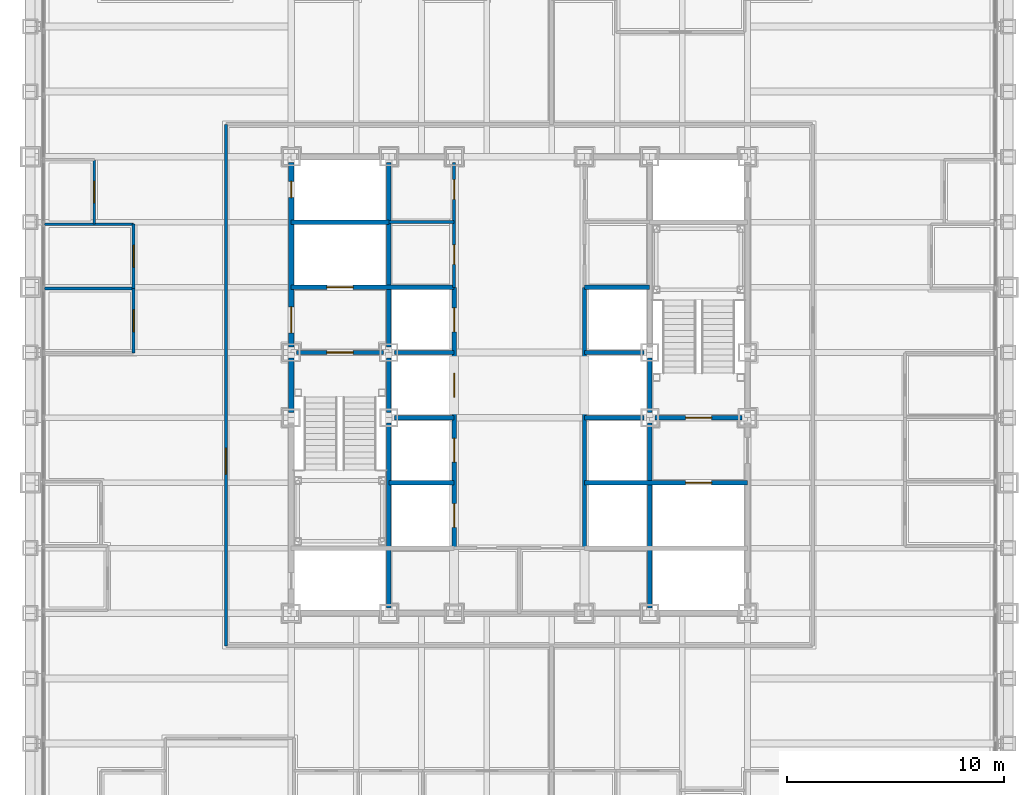
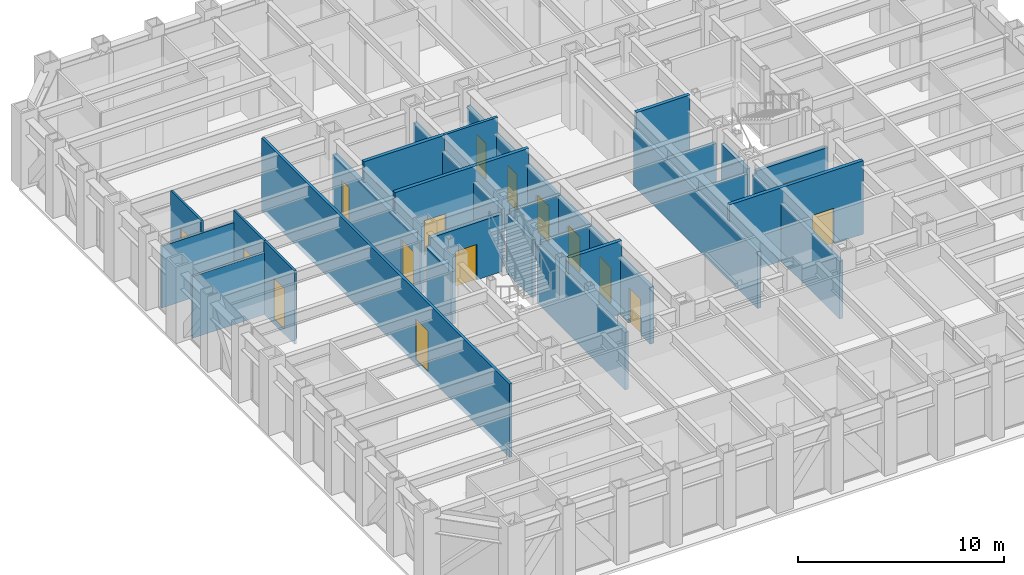
# One storey, part 9 of 16: 28 walls, 16 doors, 16 openings.
"""IFC4 building model written with IfcOpenShell, lengths in metres."""

from ifc_helpers import new_model, si_unit, direction, frame, frame_2d, origin, place, context, subcontext, project, spatial, rectangle, extrude, material, layer, layer_set, type_object, element, fill, save


model = new_model("IFC4")

# Units and contexts
model_context = context("Model", 3, precision=1e-05, world=origin(), true_north=direction((0.0, 1.0)))
body_context = subcontext(model_context, "Body", "Model", "MODEL_VIEW")
ifc_project = project(units=[si_unit("LENGTHUNIT", "METRE"), si_unit("AREAUNIT", "SQUARE_METRE"), si_unit("VOLUMEUNIT", "CUBIC_METRE"), si_unit("PLANEANGLEUNIT", "RADIAN"), si_unit("MASSUNIT", "GRAM", prefix="KILO")], contexts=[model_context])

# Site, building, storey
site_placement = place(None, origin())
site = spatial("IfcSite", under=ifc_project, at=site_placement, CompositionType="ELEMENT")
building_placement = place(site_placement, origin())
building = spatial("IfcBuilding", under=site, at=building_placement, Name="Chuquiago Exchange Tower", CompositionType="ELEMENT")
storey_placement = place(building_placement, frame((0.0, 0.0, 51.300048828125)))
storey = spatial("IfcBuildingStorey", under=building, at=storey_placement, Name="L10", CompositionType="ELEMENT", Elevation=51.300048828125)

# Wall
ifc_material_1 = material(Name="Concrete masonry, fully grouted", Category="masonry")
ifc_layer_1 = layer(ifc_material_1, 0.25)
ifc_layer_set_1 = layer_set([ifc_layer_1], Name="W1 core wall 250")
wall_type_1 = type_object("IfcWallType", Name="W1 core wall 250", PredefinedType="SOLIDWALL", material=ifc_layer_set_1)
wall_1_placement = place(storey_placement, frame((12.0, 21.25, 0.0), z_axis=(0.0, 0.0, 1.0), x_axis=(0.0, 1.0, 0.0)))
element("IfcWall", 1, at=wall_1_placement, inside=storey, type_object=wall_type_1, Name="CW-L10-00-1", PredefinedType="SOLIDWALL", context=body_context, shape_type="SweptSolid", body=[
    extrude(rectangle(XDim=2.5, YDim=0.25, at=frame_2d((1.25, 0.0))), origin(), (0.0, 0.0, 1.0), 3.11279296875),
])

# Wall, openings, doors
wall_2_placement = place(storey_placement, frame((12.0, 24.25, 0.0), z_axis=(0.0, 0.0, 1.0), x_axis=(0.0, 1.0, 0.0)))
wall_2 = element("IfcWall", 2, at=wall_2_placement, inside=storey, type_object=wall_type_1, Name="CW-L10-00-2", PredefinedType="SOLIDWALL", context=body_context, shape_type="SweptSolid", body=[
    extrude(rectangle(XDim=8.5, YDim=0.25, at=frame_2d((4.25, 0.0))), origin(), (0.0, 0.0, 1.0), 3.11279296875),
])
opening_1_placement = place(wall_2_placement, frame((0.64990234375, 0.0, 0.0)))
opening_1 = element("IfcOpeningElement", 3, at=opening_1_placement, cuts=wall_2, Name="Opening L10-002", PredefinedType="OPENING", context=body_context, shape_type="SweptSolid", body=[
    extrude(rectangle(XDim=1.199951171875, YDim=2.10009765625, at=frame_2d((0.60009765625, 1.050048828125))), frame((0.0, 0.135009765625, 0.0), z_axis=(0.0, -1.0, 0.0), x_axis=(1.0, 0.0, 0.0)), (0.0, 0.0, 1.0), 0.27001953125),
])
opening_2_placement = place(wall_2_placement, frame((6.875, 0.0, 0.0)))
opening_2 = element("IfcOpeningElement", 4, at=opening_2_placement, cuts=wall_2, Name="Opening L10-008", PredefinedType="OPENING", context=body_context, shape_type="SweptSolid", body=[
    extrude(rectangle(XDim=0.75, YDim=2.10009765625, at=frame_2d((0.375, 1.050048828125))), frame((0.0, 0.135009765625, 0.0), z_axis=(0.0, -1.0, 0.0), x_axis=(1.0, 0.0, 0.0)), (0.0, 0.0, 1.0), 0.27001953125),
])
ifc_material_2 = material(Name="Steel door, painted", Category="steel")
door_type_1 = type_object("IfcDoorType", Name="D5 firefighting lobby door 1200x2100", OperationType="SINGLE_SWING_LEFT", PredefinedType="DOOR", material=ifc_material_2)
door_1_placement = place(opening_1_placement, frame((1.199951171875, 0.0, 0.0), z_axis=(0.0, 0.0, 1.0), x_axis=(-1.0, 0.0, 0.0)))
door_1 = element("IfcDoor", 5, at=door_1_placement, inside=storey, type_object=door_type_1, Name="Firefighting lobby 1 door", OperationType="SINGLE_SWING_RIGHT", OverallHeight=2.10009765625, OverallWidth=1.199951171875, PredefinedType="DOOR", context=body_context, shape_type="SweptSolid", body=[
    extrude(rectangle(XDim=1.199951171875, YDim=2.10009765625, at=frame_2d((0.60009765625, 1.050048828125))), frame((0.0, 0.02490234375, 0.0), z_axis=(0.0, -1.0, 0.0), x_axis=(1.0, 0.0, 0.0)), (0.0, 0.0, 1.0), 0.050048828125),
])
fill(opening_1, door_1)
ifc_material_3 = material(Name="Steel door, painted", Category="steel")
door_type_2 = type_object("IfcDoorType", Name="D6 riser access door 750x2100", OperationType="SINGLE_SWING_LEFT", PredefinedType="DOOR", material=ifc_material_3)
door_2_placement = place(opening_2_placement, origin())
door_2 = element("IfcDoor", 6, at=door_2_placement, inside=storey, type_object=door_type_2, Name="Riser RW2 door", OperationType="SINGLE_SWING_RIGHT", OverallHeight=2.10009765625, OverallWidth=0.75, PredefinedType="DOOR", context=body_context, shape_type="SweptSolid", body=[
    extrude(rectangle(XDim=0.75, YDim=2.10009765625, at=frame_2d((0.375, 1.050048828125))), frame((0.0, 0.02490234375, 0.0), z_axis=(0.0, -1.0, 0.0), x_axis=(1.0, 0.0, 0.0)), (0.0, 0.0, 1.0), 0.050048828125),
])
fill(opening_2, door_2)

# Wall, opening, door
ifc_material_4 = material(Name="Gypsum board on steel studs, acoustic insulation", Category="steel")
ifc_layer_2 = layer(ifc_material_4, 0.14990234375)
ifc_layer_set_2 = layer_set([ifc_layer_2], Name="W11 corridor wall 150")
wall_type_2 = type_object("IfcWallType", Name="W11 corridor wall 150", PredefinedType="PARTITIONING", material=ifc_layer_set_2)
wall_3_placement = place(storey_placement, frame((9.0, 10.5, -0.300048828125), z_axis=(0.0, 0.0, 1.0), x_axis=(0.0, 1.0, 0.0)))
wall_3 = element("IfcWall", 7, at=wall_3_placement, inside=storey, type_object=wall_type_2, Name="PW-L10-CW", PredefinedType="PARTITIONING", context=body_context, shape_type="SweptSolid", body=[
    extrude(rectangle(XDim=24.0, YDim=0.14990234375, at=frame_2d((12.0, 0.0))), origin(), (0.0, 0.0, 1.0), 4.340087890625),
])
opening_3_placement = place(wall_3_placement, frame((7.89990234375, 0.0, 0.300048828125)))
opening_3 = element("IfcOpeningElement", 8, at=opening_3_placement, cuts=wall_3, Name="Opening L10-053", PredefinedType="OPENING", context=body_context, shape_type="SweptSolid", body=[
    extrude(rectangle(XDim=1.199951171875, YDim=2.39990234375, at=frame_2d((0.60009765625, 1.199951171875))), frame((0.0, 0.0849609375, 0.0), z_axis=(0.0, -1.0, 0.0), x_axis=(1.0, 0.0, 0.0)), (0.0, 0.0, 1.0), 0.169921875),
])
ifc_material_5 = material(Name="Timber door, laminate faced", Category="wood")
door_type_3 = type_object("IfcDoorType", Name="D13 suite entrance door 1200x2400", OperationType="SINGLE_SWING_LEFT", PredefinedType="DOOR", material=ifc_material_5)
door_3_placement = place(opening_3_placement, frame((1.199951171875, 0.0, 0.0), z_axis=(0.0, 0.0, 1.0), x_axis=(-1.0, 0.0, 0.0)))
door_3 = element("IfcDoor", 9, at=door_3_placement, inside=storey, type_object=door_type_3, Name="West suite entrance door", OperationType="SINGLE_SWING_RIGHT", OverallHeight=2.39990234375, OverallWidth=1.199951171875, PredefinedType="DOOR", context=body_context, shape_type="SweptSolid", body=[
    extrude(rectangle(XDim=1.199951171875, YDim=2.39990234375, at=frame_2d((0.60009765625, 1.199951171875))), frame((0.0, 0.02490234375, 0.0), z_axis=(0.0, -1.0, 0.0), x_axis=(1.0, 0.0, 0.0)), (0.0, 0.0, 1.0), 0.050048828125),
])
fill(opening_3, door_3)

ifc_material_6 = material(Name="Concrete masonry, fully grouted", Category="masonry")
ifc_layer_3 = layer(ifc_material_6, 0.199951171875)
ifc_layer_set_3 = layer_set([ifc_layer_3], Name="W2 shaft wall 200")
wall_type_3 = type_object("IfcWallType", Name="W2 shaft wall 200", PredefinedType="SOLIDWALL", material=ifc_layer_set_3)
wall_4_placement = place(storey_placement, frame((12.25, 24.0, 0.0), z_axis=(0.0, 0.0, 1.0), x_axis=(1.0, 0.0, 0.0)))
wall_4 = element("IfcWall", 10, at=wall_4_placement, inside=storey, type_object=wall_type_3, Name="CW-L10-05-0", PredefinedType="SOLIDWALL", context=body_context, shape_type="SweptSolid", body=[
    extrude(rectangle(XDim=4.0, YDim=0.199951171875, at=frame_2d((2.0, 0.0))), origin(), (0.0, 0.0, 1.0), 3.389892578125),
])
opening_4_placement = place(wall_4_placement, frame((1.39990234375, 0.0, 0.0)))
opening_4 = element("IfcOpeningElement", 11, at=opening_4_placement, cuts=wall_4, Name="Opening L10-001", PredefinedType="OPENING", context=body_context, shape_type="SweptSolid", body=[
    extrude(rectangle(XDim=1.199951171875, YDim=2.10009765625, at=frame_2d((0.60009765625, 1.050048828125))), frame((0.0, 0.10986328125, 0.0), z_axis=(0.0, -1.0, 0.0), x_axis=(1.0, 0.0, 0.0)), (0.0, 0.0, 1.0), 0.219970703125),
])
ifc_material_7 = material(Name="Steel door, painted", Category="steel")
door_type_4 = type_object("IfcDoorType", Name="D4 stair door 1200x2100", OperationType="SINGLE_SWING_LEFT", PredefinedType="DOOR", material=ifc_material_7)
door_4_placement = place(opening_4_placement, frame((1.199951171875, 0.0, 0.0), z_axis=(0.0, 0.0, 1.0), x_axis=(-1.0, 0.0, 0.0)))
door_4 = element("IfcDoor", 12, at=door_4_placement, inside=storey, type_object=door_type_4, Name="Stair ST1 door", OperationType="SINGLE_SWING_RIGHT", OverallHeight=2.10009765625, OverallWidth=1.199951171875, PredefinedType="DOOR", context=body_context, shape_type="SweptSolid", body=[
    extrude(rectangle(XDim=1.199951171875, YDim=2.10009765625, at=frame_2d((0.60009765625, 1.050048828125))), frame((0.0, 0.02490234375, 0.0), z_axis=(0.0, -1.0, 0.0), x_axis=(1.0, 0.0, 0.0)), (0.0, 0.0, 1.0), 0.050048828125),
])
fill(opening_4, door_4)

# Walls
for number, where, z_axis, x_axis, name in (
    (13, (16.75, 24.0, 0.0), (0.0, 0.0, 1.0), (1.0, 0.0, 0.0), "CW-L10-05-1"),
    (14, (25.5, 24.0, 0.0), (0.0, 0.0, 1.0), (1.0, 0.0, 0.0), "CW-L10-06-0"),
):
    element("IfcWall", number, at=place(storey_placement, frame(where, z_axis=z_axis, x_axis=x_axis)), inside=storey, type_object=wall_type_3, Name=name, PredefinedType="SOLIDWALL", context=body_context, shape_type="SweptSolid", body=[
        extrude(rectangle(XDim=2.75, YDim=0.199951171875, at=frame_2d((1.375, 0.0))), origin(), (0.0, 0.0, 1.0), 3.389892578125),
    ])

# Wall, opening, door
wall_5_placement = place(storey_placement, frame((12.0, 27.0, 0.0), z_axis=(0.0, 0.0, 1.0), x_axis=(1.0, 0.0, 0.0)))
wall_5 = element("IfcWall", 15, at=wall_5_placement, inside=storey, type_object=wall_type_3, Name="CW-L10-07-0", PredefinedType="SOLIDWALL", context=body_context, shape_type="SweptSolid", body=[
    extrude(rectangle(XDim=7.5, YDim=0.199951171875, at=frame_2d((3.75, 0.0))), origin(), (0.0, 0.0, 1.0), 4.33984375),
])
opening_5_placement = place(wall_5_placement, frame((1.64990234375, 0.0, 0.0)))
opening_5 = element("IfcOpeningElement", 16, at=opening_5_placement, cuts=wall_5, Name="Opening L10-005", PredefinedType="OPENING", context=body_context, shape_type="SweptSolid", body=[
    extrude(rectangle(XDim=1.199951171875, YDim=2.10009765625, at=frame_2d((0.60009765625, 1.050048828125))), frame((0.0, 0.10986328125, 0.0), z_axis=(0.0, -1.0, 0.0), x_axis=(1.0, 0.0, 0.0)), (0.0, 0.0, 1.0), 0.219970703125),
])
ifc_material_8 = material(Name="Stainless steel lift landing door", Category="steel")
door_type_5 = type_object("IfcDoorType", Name="LD2 firefighting lift landing door 1200x2100", OperationType="DOUBLE_DOOR_SLIDING", PredefinedType="DOOR", material=ifc_material_8)
door_5_placement = place(opening_5_placement, origin())
door_5 = element("IfcDoor", 17, at=door_5_placement, inside=storey, type_object=door_type_5, Name="Firefighting lift FL1 landing door", OperationType="DOUBLE_DOOR_SLIDING", OverallHeight=2.10009765625, OverallWidth=1.199951171875, PredefinedType="DOOR", context=body_context, shape_type="SweptSolid", body=[
    extrude(rectangle(XDim=1.199951171875, YDim=2.10009765625, at=frame_2d((0.60009765625, 1.050048828125))), frame((0.0, 0.02490234375, 0.0), z_axis=(0.0, -1.0, 0.0), x_axis=(1.0, 0.0, 0.0)), (0.0, 0.0, 1.0), 0.050048828125),
])
fill(opening_5, door_5)

# Walls
wall_6_placement = place(storey_placement, frame((25.5, 27.0, 0.0), z_axis=(0.0, 0.0, 1.0), x_axis=(1.0, 0.0, 0.0)))
element("IfcWall", 18, at=wall_6_placement, inside=storey, type_object=wall_type_3, Name="CW-L10-08-0", PredefinedType="SOLIDWALL", context=body_context, shape_type="SweptSolid", body=[
    extrude(rectangle(XDim=3.0, YDim=0.199951171875, at=frame_2d((1.5, 0.0))), origin(), (0.0, 0.0, 1.0), 4.33984375),
])
wall_7_placement = place(storey_placement, frame((12.0, 30.0, 0.0), z_axis=(0.0, 0.0, 1.0), x_axis=(1.0, 0.0, 0.0)))
element("IfcWall", 19, at=wall_7_placement, inside=storey, type_object=wall_type_3, Name="CW-L10-09-0", PredefinedType="SOLIDWALL", context=body_context, shape_type="SweptSolid", body=[
    extrude(rectangle(XDim=4.5, YDim=0.199951171875, at=frame_2d((2.25, 0.0))), origin(), (0.0, 0.0, 1.0), 4.33984375),
])
wall_8_placement = place(storey_placement, frame((16.5, 12.25, 0.0), z_axis=(0.0, 0.0, 1.0), x_axis=(0.0, 1.0, 0.0)))
element("IfcWall", 20, at=wall_8_placement, inside=storey, type_object=wall_type_3, Name="CW-L10-13-0", PredefinedType="SOLIDWALL", context=body_context, shape_type="SweptSolid", body=[
    extrude(rectangle(XDim=8.5, YDim=0.199951171875, at=frame_2d((4.25, 0.0))), origin(), (0.0, 0.0, 1.0), 3.412841796875),
])
wall_9_placement = place(storey_placement, frame((16.5, 21.25, 0.0), z_axis=(0.0, 0.0, 1.0), x_axis=(0.0, 1.0, 0.0)))
element("IfcWall", 21, at=wall_9_placement, inside=storey, type_object=wall_type_3, Name="CW-L10-13-1", PredefinedType="SOLIDWALL", context=body_context, shape_type="SweptSolid", body=[
    extrude(rectangle(XDim=2.5, YDim=0.199951171875, at=frame_2d((1.25, 0.0))), origin(), (0.0, 0.0, 1.0), 3.412841796875),
])
wall_10_placement = place(storey_placement, frame((16.5, 24.25, 0.0), z_axis=(0.0, 0.0, 1.0), x_axis=(0.0, 1.0, 0.0)))
element("IfcWall", 22, at=wall_10_placement, inside=storey, type_object=wall_type_3, Name="CW-L10-13-2", PredefinedType="SOLIDWALL", context=body_context, shape_type="SweptSolid", body=[
    extrude(rectangle(XDim=8.5, YDim=0.199951171875, at=frame_2d((4.25, 0.0))), origin(), (0.0, 0.0, 1.0), 3.412841796875),
])
wall_11_placement = place(storey_placement, frame((16.5, 18.0, 0.0), z_axis=(0.0, 0.0, 1.0), x_axis=(1.0, 0.0, 0.0)))
element("IfcWall", 23, at=wall_11_placement, inside=storey, type_object=wall_type_3, Name="CW-L10-14-0", PredefinedType="SOLIDWALL", context=body_context, shape_type="SweptSolid", body=[
    extrude(rectangle(XDim=3.0, YDim=0.199951171875, at=frame_2d((1.5, 0.0))), origin(), (0.0, 0.0, 1.0), 4.33984375),
])

# Wall, opening, door
wall_12_placement = place(storey_placement, frame((25.5, 18.0, 0.0), z_axis=(0.0, 0.0, 1.0), x_axis=(1.0, 0.0, 0.0)))
wall_12 = element("IfcWall", 24, at=wall_12_placement, inside=storey, type_object=wall_type_3, Name="CW-L10-15-0", PredefinedType="SOLIDWALL", context=body_context, shape_type="SweptSolid", body=[
    extrude(rectangle(XDim=7.5, YDim=0.199951171875, at=frame_2d((3.75, 0.0))), origin(), (0.0, 0.0, 1.0), 4.33984375),
])
opening_6_placement = place(wall_12_placement, frame((4.64990234375, 0.0, 0.0)))
opening_6 = element("IfcOpeningElement", 25, at=opening_6_placement, cuts=wall_12, Name="Opening L10-006", PredefinedType="OPENING", context=body_context, shape_type="SweptSolid", body=[
    extrude(rectangle(XDim=1.199951171875, YDim=2.10009765625, at=frame_2d((0.60009765625, 1.050048828125))), frame((0.0, 0.10986328125, 0.0), z_axis=(0.0, -1.0, 0.0), x_axis=(1.0, 0.0, 0.0)), (0.0, 0.0, 1.0), 0.219970703125),
])
door_6_placement = place(opening_6_placement, origin())
door_6 = element("IfcDoor", 26, at=door_6_placement, inside=storey, type_object=door_type_5, Name="Firefighting lift FL2 landing door", OperationType="DOUBLE_DOOR_SLIDING", OverallHeight=2.10009765625, OverallWidth=1.199951171875, PredefinedType="DOOR", context=body_context, shape_type="SweptSolid", body=[
    extrude(rectangle(XDim=1.199951171875, YDim=2.10009765625, at=frame_2d((0.60009765625, 1.050048828125))), frame((0.0, 0.02490234375, 0.0), z_axis=(0.0, -1.0, 0.0), x_axis=(1.0, 0.0, 0.0)), (0.0, 0.0, 1.0), 0.050048828125),
])
fill(opening_6, door_6)

# Walls
for number, where, z_axis, x_axis, name in (
    (27, (16.75, 21.0, 0.0), (0.0, 0.0, 1.0), (1.0, 0.0, 0.0), "CW-L10-16-0"),
    (28, (25.5, 21.0, 0.0), (0.0, 0.0, 1.0), (1.0, 0.0, 0.0), "CW-L10-17-0"),
):
    element("IfcWall", number, at=place(storey_placement, frame(where, z_axis=z_axis, x_axis=x_axis)), inside=storey, type_object=wall_type_3, Name=name, PredefinedType="SOLIDWALL", context=body_context, shape_type="SweptSolid", body=[
        extrude(rectangle(XDim=2.75, YDim=0.199951171875, at=frame_2d((1.375, 0.0))), origin(), (0.0, 0.0, 1.0), 3.389892578125),
    ])

# Wall, opening, door
wall_13_placement = place(storey_placement, frame((28.75, 21.0, 0.0), z_axis=(0.0, 0.0, 1.0), x_axis=(1.0, 0.0, 0.0)))
wall_13 = element("IfcWall", 29, at=wall_13_placement, inside=storey, type_object=wall_type_3, Name="CW-L10-17-1", PredefinedType="SOLIDWALL", context=body_context, shape_type="SweptSolid", body=[
    extrude(rectangle(XDim=4.0, YDim=0.199951171875, at=frame_2d((2.0, 0.0))), origin(), (0.0, 0.0, 1.0), 3.389892578125),
])
opening_7_placement = place(wall_13_placement, frame((1.39990234375, 0.0, 0.0)))
opening_7 = element("IfcOpeningElement", 30, at=opening_7_placement, cuts=wall_13, Name="Opening L10-003", PredefinedType="OPENING", context=body_context, shape_type="SweptSolid", body=[
    extrude(rectangle(XDim=1.199951171875, YDim=2.10009765625, at=frame_2d((0.60009765625, 1.050048828125))), frame((0.0, 0.10986328125, 0.0), z_axis=(0.0, -1.0, 0.0), x_axis=(1.0, 0.0, 0.0)), (0.0, 0.0, 1.0), 0.219970703125),
])
door_7_placement = place(opening_7_placement, origin())
door_7 = element("IfcDoor", 31, at=door_7_placement, inside=storey, type_object=door_type_4, Name="Stair ST2 door", OperationType="SINGLE_SWING_LEFT", OverallHeight=2.10009765625, OverallWidth=1.199951171875, PredefinedType="DOOR", context=body_context, shape_type="SweptSolid", body=[
    extrude(rectangle(XDim=1.199951171875, YDim=2.10009765625, at=frame_2d((0.60009765625, 1.050048828125))), frame((0.0, 0.02490234375, 0.0), z_axis=(0.0, -1.0, 0.0), x_axis=(1.0, 0.0, 0.0)), (0.0, 0.0, 1.0), 0.050048828125),
])
fill(opening_7, door_7)

# Wall, openings, doors
wall_14_placement = place(storey_placement, frame((19.5, 15.0, 0.0), z_axis=(0.0, 0.0, 1.0), x_axis=(0.0, 1.0, 0.0)))
wall_14 = element("IfcWall", 32, at=wall_14_placement, inside=storey, type_object=wall_type_3, Name="CW-L10-19-0", PredefinedType="SOLIDWALL", context=body_context, shape_type="SweptSolid", body=[
    extrude(rectangle(XDim=12.0, YDim=0.199951171875, at=frame_2d((6.0, 0.0))), origin(), (0.0, 0.0, 1.0), 3.364501953125),
])
opening_8_placement = place(wall_14_placement, frame((0.949951171875, 0.0, 0.0)))
opening_8 = element("IfcOpeningElement", 33, at=opening_8_placement, cuts=wall_14, Name="Opening L10-017", PredefinedType="OPENING", context=body_context, shape_type="SweptSolid", body=[
    extrude(rectangle(XDim=1.10009765625, YDim=2.10009765625, at=frame_2d((0.550048828125, 1.050048828125))), frame((0.0, 0.10986328125, 0.0), z_axis=(0.0, -1.0, 0.0), x_axis=(1.0, 0.0, 0.0)), (0.0, 0.0, 1.0), 0.219970703125),
])
opening_9_placement = place(wall_14_placement, frame((3.949951171875, 0.0, 0.0)))
opening_9 = element("IfcOpeningElement", 34, at=opening_9_placement, cuts=wall_14, Name="Opening L10-018", PredefinedType="OPENING", context=body_context, shape_type="SweptSolid", body=[
    extrude(rectangle(XDim=1.10009765625, YDim=2.10009765625, at=frame_2d((0.550048828125, 1.050048828125))), frame((0.0, 0.10986328125, 0.0), z_axis=(0.0, -1.0, 0.0), x_axis=(1.0, 0.0, 0.0)), (0.0, 0.0, 1.0), 0.219970703125),
])
opening_10_placement = place(wall_14_placement, frame((6.949951171875, 0.0, 0.0)))
opening_10 = element("IfcOpeningElement", 35, at=opening_10_placement, cuts=wall_14, Name="Opening L10-019", PredefinedType="OPENING", context=body_context, shape_type="SweptSolid", body=[
    extrude(rectangle(XDim=1.10009765625, YDim=2.10009765625, at=frame_2d((0.550048828125, 1.050048828125))), frame((0.0, 0.10986328125, 0.0), z_axis=(0.0, -1.0, 0.0), x_axis=(1.0, 0.0, 0.0)), (0.0, 0.0, 1.0), 0.219970703125),
])
opening_11_placement = place(wall_14_placement, frame((9.949951171875, 0.0, 0.0)))
opening_11 = element("IfcOpeningElement", 36, at=opening_11_placement, cuts=wall_14, Name="Opening L10-020", PredefinedType="OPENING", context=body_context, shape_type="SweptSolid", body=[
    extrude(rectangle(XDim=1.10009765625, YDim=2.10009765625, at=frame_2d((0.550048828125, 1.050048828125))), frame((0.0, 0.10986328125, 0.0), z_axis=(0.0, -1.0, 0.0), x_axis=(1.0, 0.0, 0.0)), (0.0, 0.0, 1.0), 0.219970703125),
])
ifc_material_9 = material(Name="Stainless steel lift landing door", Category="steel")
door_type_6 = type_object("IfcDoorType", Name="LD1 lift landing door 1100x2100", OperationType="DOUBLE_DOOR_SLIDING", PredefinedType="DOOR", material=ifc_material_9)
door_8_placement = place(opening_8_placement, origin())
door_8 = element("IfcDoor", 37, at=door_8_placement, inside=storey, type_object=door_type_6, Name="Lift LA1 landing door", OperationType="DOUBLE_DOOR_SLIDING", OverallHeight=2.10009765625, OverallWidth=1.10009765625, PredefinedType="DOOR", context=body_context, shape_type="SweptSolid", body=[
    extrude(rectangle(XDim=1.10009765625, YDim=2.10009765625, at=frame_2d((0.550048828125, 1.050048828125))), frame((0.0, 0.02490234375, 0.0), z_axis=(0.0, -1.0, 0.0), x_axis=(1.0, 0.0, 0.0)), (0.0, 0.0, 1.0), 0.050048828125),
])
fill(opening_8, door_8)
door_9_placement = place(opening_9_placement, origin())
door_9 = element("IfcDoor", 38, at=door_9_placement, inside=storey, type_object=door_type_6, Name="Lift LA2 landing door", OperationType="DOUBLE_DOOR_SLIDING", OverallHeight=2.10009765625, OverallWidth=1.10009765625, PredefinedType="DOOR", context=body_context, shape_type="SweptSolid", body=[
    extrude(rectangle(XDim=1.10009765625, YDim=2.10009765625, at=frame_2d((0.550048828125, 1.050048828125))), frame((0.0, 0.02490234375, 0.0), z_axis=(0.0, -1.0, 0.0), x_axis=(1.0, 0.0, 0.0)), (0.0, 0.0, 1.0), 0.050048828125),
])
fill(opening_9, door_9)
door_10_placement = place(opening_10_placement, origin())
door_10 = element("IfcDoor", 39, at=door_10_placement, inside=storey, type_object=door_type_6, Name="Lift LA3 landing door", OperationType="DOUBLE_DOOR_SLIDING", OverallHeight=2.10009765625, OverallWidth=1.10009765625, PredefinedType="DOOR", context=body_context, shape_type="SweptSolid", body=[
    extrude(rectangle(XDim=1.10009765625, YDim=2.10009765625, at=frame_2d((0.550048828125, 1.050048828125))), frame((0.0, 0.02490234375, 0.0), z_axis=(0.0, -1.0, 0.0), x_axis=(1.0, 0.0, 0.0)), (0.0, 0.0, 1.0), 0.050048828125),
])
fill(opening_10, door_10)
door_11_placement = place(opening_11_placement, origin())
door_11 = element("IfcDoor", 40, at=door_11_placement, inside=storey, type_object=door_type_6, Name="Lift LA4 landing door", OperationType="DOUBLE_DOOR_SLIDING", OverallHeight=2.10009765625, OverallWidth=1.10009765625, PredefinedType="DOOR", context=body_context, shape_type="SweptSolid", body=[
    extrude(rectangle(XDim=1.10009765625, YDim=2.10009765625, at=frame_2d((0.550048828125, 1.050048828125))), frame((0.0, 0.02490234375, 0.0), z_axis=(0.0, -1.0, 0.0), x_axis=(1.0, 0.0, 0.0)), (0.0, 0.0, 1.0), 0.050048828125),
])
fill(opening_11, door_11)

# Walls
wall_15_placement = place(storey_placement, frame((25.5, 15.0, 0.0), z_axis=(0.0, 0.0, 1.0), x_axis=(0.0, 1.0, 0.0)))
element("IfcWall", 41, at=wall_15_placement, inside=storey, type_object=wall_type_3, Name="CW-L10-22-0", PredefinedType="SOLIDWALL", context=body_context, shape_type="SweptSolid", body=[
    extrude(rectangle(XDim=12.0, YDim=0.199951171875, at=frame_2d((6.0, 0.0))), origin(), (0.0, 0.0, 1.0), 3.364501953125),
])
wall_16_placement = place(storey_placement, frame((28.5, 12.25, 0.0), z_axis=(0.0, 0.0, 1.0), x_axis=(0.0, 1.0, 0.0)))
element("IfcWall", 42, at=wall_16_placement, inside=storey, type_object=wall_type_3, Name="CW-L10-24-0", PredefinedType="SOLIDWALL", context=body_context, shape_type="SweptSolid", body=[
    extrude(rectangle(XDim=8.5, YDim=0.199951171875, at=frame_2d((4.25, 0.0))), origin(), (0.0, 0.0, 1.0), 3.412841796875),
])
wall_17_placement = place(storey_placement, frame((28.5, 21.25, 0.0), z_axis=(0.0, 0.0, 1.0), x_axis=(0.0, 1.0, 0.0)))
element("IfcWall", 43, at=wall_17_placement, inside=storey, type_object=wall_type_3, Name="CW-L10-24-1", PredefinedType="SOLIDWALL", context=body_context, shape_type="SweptSolid", body=[
    extrude(rectangle(XDim=2.5, YDim=0.199951171875, at=frame_2d((1.25, 0.0))), origin(), (0.0, 0.0, 1.0), 3.412841796875),
])

# Wall, openings, doors
ifc_material_10 = material(Name="Gypsum board on steel studs", Category="steel")
ifc_layer_4 = layer(ifc_material_10, 0.14990234375)
ifc_layer_set_4 = layer_set([ifc_layer_4], Name="W3 core partition 150")
wall_type_4 = type_object("IfcWallType", Name="W3 core partition 150", PredefinedType="PARTITIONING", material=ifc_layer_set_4)
wall_18_placement = place(storey_placement, frame((19.5, 27.0, 0.0), z_axis=(0.0, 0.0, 1.0), x_axis=(0.0, 1.0, 0.0)))
wall_18 = element("IfcWall", 44, at=wall_18_placement, inside=storey, type_object=wall_type_4, Name="CW-L10-20-0", PredefinedType="PARTITIONING", context=body_context, shape_type="SweptSolid", body=[
    extrude(rectangle(XDim=5.75, YDim=0.14990234375, at=frame_2d((2.875, 0.0))), origin(), (0.0, 0.0, 1.0), 3.364501953125),
])
opening_12_placement = place(wall_18_placement, frame((1.050048828125, 0.0, 0.0)))
opening_12 = element("IfcOpeningElement", 45, at=opening_12_placement, cuts=wall_18, Name="Opening L10-011", PredefinedType="OPENING", context=body_context, shape_type="SweptSolid", body=[
    extrude(rectangle(XDim=0.89990234375, YDim=2.10009765625, at=frame_2d((0.449951171875, 1.050048828125))), frame((0.0, 0.0849609375, 0.0), z_axis=(0.0, -1.0, 0.0), x_axis=(1.0, 0.0, 0.0)), (0.0, 0.0, 1.0), 0.169921875),
])
opening_13_placement = place(wall_18_placement, frame((4.050048828125, 0.0, 0.0)))
opening_13 = element("IfcOpeningElement", 46, at=opening_13_placement, cuts=wall_18, Name="Opening L10-012", PredefinedType="OPENING", context=body_context, shape_type="SweptSolid", body=[
    extrude(rectangle(XDim=0.89990234375, YDim=2.10009765625, at=frame_2d((0.449951171875, 1.050048828125))), frame((0.0, 0.0849609375, 0.0), z_axis=(0.0, -1.0, 0.0), x_axis=(1.0, 0.0, 0.0)), (0.0, 0.0, 1.0), 0.169921875),
])
ifc_material_11 = material(Name="Timber door, laminate faced", Category="wood")
door_type_7 = type_object("IfcDoorType", Name="D16 core room door 900x2100", OperationType="SINGLE_SWING_LEFT", PredefinedType="DOOR", material=ifc_material_11)
door_12_placement = place(opening_13_placement, origin())
door_12 = element("IfcDoor", 47, at=door_12_placement, inside=storey, type_object=door_type_7, Name="Staff shower room door", OperationType="SINGLE_SWING_RIGHT", OverallHeight=2.10009765625, OverallWidth=0.89990234375, PredefinedType="DOOR", context=body_context, shape_type="SweptSolid", body=[
    extrude(rectangle(XDim=0.89990234375, YDim=2.10009765625, at=frame_2d((0.449951171875, 1.050048828125))), frame((0.0, 0.02490234375, 0.0), z_axis=(0.0, -1.0, 0.0), x_axis=(1.0, 0.0, 0.0)), (0.0, 0.0, 1.0), 0.050048828125),
])
fill(opening_13, door_12)
ifc_material_12 = material(Name="Timber door, laminate faced", Category="wood")
door_type_8 = type_object("IfcDoorType", Name="D7 toilet door 900x2100", OperationType="SINGLE_SWING_LEFT", PredefinedType="DOOR", material=ifc_material_12)
door_13_placement = place(opening_12_placement, origin())
door_13 = element("IfcDoor", 48, at=door_13_placement, inside=storey, type_object=door_type_8, Name="Male WC door", OperationType="SINGLE_SWING_LEFT", OverallHeight=2.10009765625, OverallWidth=0.89990234375, PredefinedType="DOOR", context=body_context, shape_type="SweptSolid", body=[
    extrude(rectangle(XDim=0.89990234375, YDim=2.10009765625, at=frame_2d((0.449951171875, 1.050048828125))), frame((0.0, 0.02490234375, 0.0), z_axis=(0.0, -1.0, 0.0), x_axis=(1.0, 0.0, 0.0)), (0.0, 0.0, 1.0), 0.050048828125),
])
fill(opening_12, door_13)

# Walls
wall_19_placement = place(storey_placement, frame((16.5, 30.0, 0.0), z_axis=(0.0, 0.0, 1.0), x_axis=(1.0, 0.0, 0.0)))
element("IfcWall", 49, at=wall_19_placement, inside=storey, type_object=wall_type_4, Name="CW-L10-WCMS", PredefinedType="PARTITIONING", context=body_context, shape_type="SweptSolid", body=[
    extrude(rectangle(XDim=3.0, YDim=0.14990234375, at=frame_2d((1.5, 0.0))), origin(), (0.0, 0.0, 1.0), 4.33984375),
])
ifc_material_13 = material(Name="Gypsum board on steel studs", Category="steel")
ifc_layer_5 = layer(ifc_material_13, 0.1201171875)
ifc_layer_set_5 = layer_set([ifc_layer_5], Name="W4 partition 120")
wall_type_5 = type_object("IfcWallType", Name="W4 partition 120", PredefinedType="PARTITIONING", material=ifc_layer_set_5)
for number, where, z_axis, x_axis, name in (
    (50, (0.657470703125, 26.942626953125, -0.300048828125), (0.0, 0.0, 1.0), (1.0, 0.0, 0.0), "PW-L10-W02694"),
    (51, (0.657470703125, 29.904296875, -0.300048828125), (0.0, 0.0, 1.0), (1.0, 0.0, 0.0), "PW-L10-W02990"),
):
    element("IfcWall", number, at=place(storey_placement, frame(where, z_axis=z_axis, x_axis=x_axis)), inside=storey, type_object=wall_type_5, Name=name, PredefinedType="PARTITIONING", context=body_context, shape_type="SweptSolid", body=[
        extrude(rectangle(XDim=4.092529296875, YDim=0.1201171875, at=frame_2d((2.04638671875, 0.0))), origin(), (0.0, 0.0, 1.0), 3.646484375),
    ])

# Wall, opening, door
wall_20_placement = place(storey_placement, frame((4.75, 23.98095703125, -0.300048828125), z_axis=(0.0, 0.0, 1.0), x_axis=(0.0, 1.0, 0.0)))
wall_20 = element("IfcWall", 52, at=wall_20_placement, inside=storey, type_object=wall_type_5, Name="PW-L10-WF02398", PredefinedType="PARTITIONING", context=body_context, shape_type="SweptSolid", body=[
    extrude(rectangle(XDim=2.961669921875, YDim=0.1201171875, at=frame_2d((1.48095703125, 0.0))), origin(), (0.0, 0.0, 1.0), 4.340087890625),
])
opening_14_placement = place(wall_20_placement, frame((0.98095703125, 0.0, 0.300048828125)))
opening_14 = element("IfcOpeningElement", 53, at=opening_14_placement, cuts=wall_20, Name="Opening L10-050", PredefinedType="OPENING", context=body_context, shape_type="SweptSolid", body=[
    extrude(rectangle(XDim=1.0, YDim=2.39990234375, at=frame_2d((0.5, 1.199951171875))), frame((0.0, 0.070068359375, 0.0), z_axis=(0.0, -1.0, 0.0), x_axis=(1.0, 0.0, 0.0)), (0.0, 0.0, 1.0), 0.14013671875),
])
ifc_material_14 = material(Name="Timber door, laminate faced", Category="wood")
door_type_9 = type_object("IfcDoorType", Name="D9 room door 1000x2400", OperationType="SINGLE_SWING_LEFT", PredefinedType="DOOR", material=ifc_material_14)
door_14_placement = place(opening_14_placement, origin())
door_14 = element("IfcDoor", 54, at=door_14_placement, inside=storey, type_object=door_type_9, Name="Office door", OperationType="SINGLE_SWING_RIGHT", OverallHeight=2.39990234375, OverallWidth=1.0, PredefinedType="DOOR", context=body_context, shape_type="SweptSolid", body=[
    extrude(rectangle(XDim=1.0, YDim=2.39990234375, at=frame_2d((0.5, 1.199951171875))), frame((0.0, 0.02490234375, 0.0), z_axis=(0.0, -1.0, 0.0), x_axis=(1.0, 0.0, 0.0)), (0.0, 0.0, 1.0), 0.050048828125),
])
fill(opening_14, door_14)

wall_21_placement = place(storey_placement, frame((4.75, 26.942626953125, -0.300048828125), z_axis=(0.0, 0.0, 1.0), x_axis=(0.0, 1.0, 0.0)))
wall_21 = element("IfcWall", 55, at=wall_21_placement, inside=storey, type_object=wall_type_5, Name="PW-L10-WF02694", PredefinedType="PARTITIONING", context=body_context, shape_type="SweptSolid", body=[
    extrude(rectangle(XDim=2.961669921875, YDim=0.1201171875, at=frame_2d((1.48095703125, 0.0))), origin(), (0.0, 0.0, 1.0), 4.340087890625),
])
opening_15_placement = place(wall_21_placement, frame((0.98095703125, 0.0, 0.300048828125)))
opening_15 = element("IfcOpeningElement", 56, at=opening_15_placement, cuts=wall_21, Name="Opening L10-051", PredefinedType="OPENING", context=body_context, shape_type="SweptSolid", body=[
    extrude(rectangle(XDim=1.0, YDim=2.39990234375, at=frame_2d((0.5, 1.199951171875))), frame((0.0, 0.070068359375, 0.0), z_axis=(0.0, -1.0, 0.0), x_axis=(1.0, 0.0, 0.0)), (0.0, 0.0, 1.0), 0.14013671875),
])
door_15_placement = place(opening_15_placement, origin())
door_15 = element("IfcDoor", 57, at=door_15_placement, inside=storey, type_object=door_type_9, Name="Office door", OperationType="SINGLE_SWING_LEFT", OverallHeight=2.39990234375, OverallWidth=1.0, PredefinedType="DOOR", context=body_context, shape_type="SweptSolid", body=[
    extrude(rectangle(XDim=1.0, YDim=2.39990234375, at=frame_2d((0.5, 1.199951171875))), frame((0.0, 0.02490234375, 0.0), z_axis=(0.0, -1.0, 0.0), x_axis=(1.0, 0.0, 0.0)), (0.0, 0.0, 1.0), 0.050048828125),
])
fill(opening_15, door_15)

wall_22_placement = place(storey_placement, frame((2.949951171875, 29.904296875, -0.300048828125), z_axis=(0.0, 0.0, 1.0), x_axis=(0.0, 1.0, 0.0)))
wall_22 = element("IfcWall", 58, at=wall_22_placement, inside=storey, type_object=wall_type_5, Name="PW-L10-WF02990", PredefinedType="PARTITIONING", context=body_context, shape_type="SweptSolid", body=[
    extrude(rectangle(XDim=2.9619140625, YDim=0.1201171875, at=frame_2d((1.48095703125, 0.0))), origin(), (0.0, 0.0, 1.0), 4.340087890625),
])
opening_16_placement = place(wall_22_placement, frame((0.98095703125, 0.0, 0.300048828125)))
opening_16 = element("IfcOpeningElement", 59, at=opening_16_placement, cuts=wall_22, Name="Opening L10-052", PredefinedType="OPENING", context=body_context, shape_type="SweptSolid", body=[
    extrude(rectangle(XDim=1.0, YDim=2.39990234375, at=frame_2d((0.5, 1.199951171875))), frame((0.0, 0.070068359375, 0.0), z_axis=(0.0, -1.0, 0.0), x_axis=(1.0, 0.0, 0.0)), (0.0, 0.0, 1.0), 0.14013671875),
])
ifc_material_15 = material(Name="Timber frame door, full height glazed panel", Category="wood")
door_type_10 = type_object("IfcDoorType", Name="D14 glazed meeting room door 1000x2400", OperationType="SINGLE_SWING_LEFT", PredefinedType="DOOR", material=ifc_material_15)
door_16_placement = place(opening_16_placement, origin())
door_16 = element("IfcDoor", 60, at=door_16_placement, inside=storey, type_object=door_type_10, Name="Focus room door", OperationType="SINGLE_SWING_LEFT", OverallHeight=2.39990234375, OverallWidth=1.0, PredefinedType="DOOR", context=body_context, shape_type="SweptSolid", body=[
    extrude(rectangle(XDim=1.0, YDim=2.39990234375, at=frame_2d((0.5, 1.199951171875))), frame((0.0, 0.02490234375, 0.0), z_axis=(0.0, -1.0, 0.0), x_axis=(1.0, 0.0, 0.0)), (0.0, 0.0, 1.0), 0.050048828125),
])
fill(opening_16, door_16)

save(model, "model.ifc")
